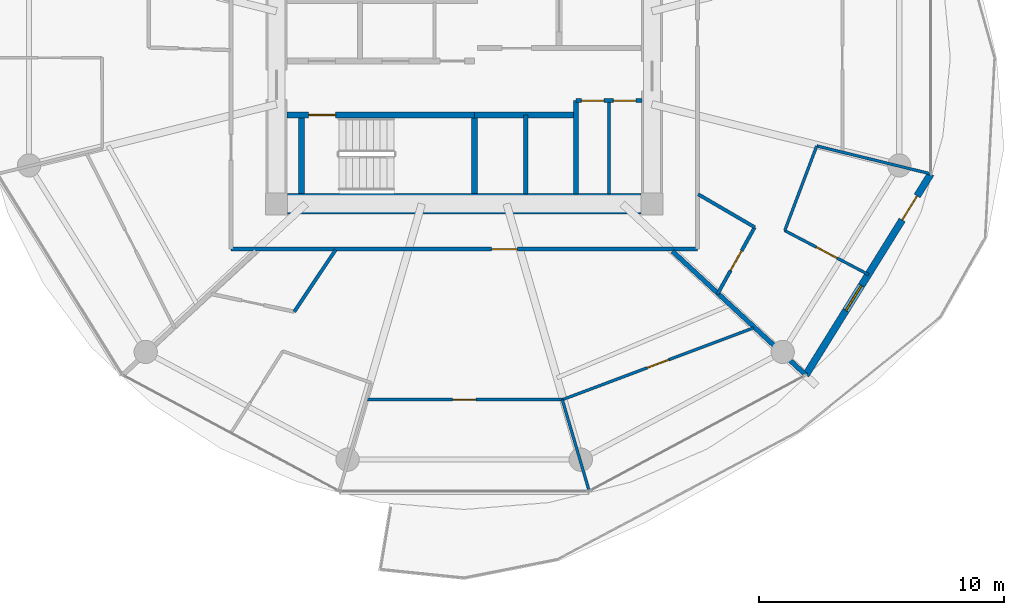
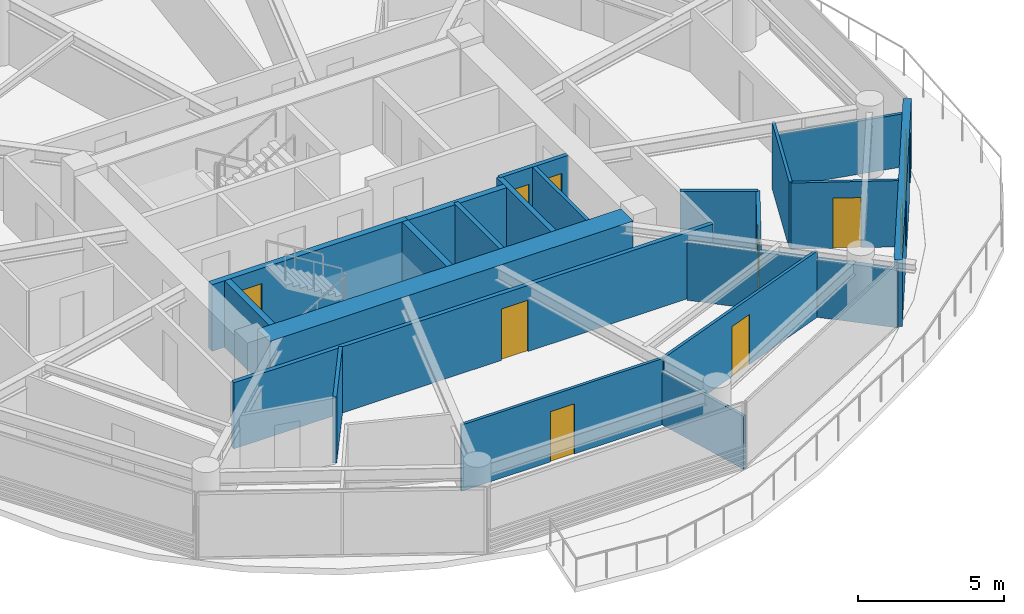
# One storey, part 19 of 27: 21 walls, 9 doors, 1 window, 10 openings.
"""IFC4 building model written with IfcOpenShell, lengths in metres."""

import ifcopenshell
import ifcopenshell.guid

model = None  # the IFC model being written
_history = None  # IfcOwnerHistory: only IFC2X3 demands one
_inside = {}  # id of a spatial element -> (the spatial element, [elements in it])
_under = {}  # id of a project, library or spatial element -> (it, [spatial elements below it])
_declared = {}  # id of a project -> (the project, [libraries it declares])
_typed = {}  # id of a type object -> (the type object, [elements of that type])
_made_of = {}  # id of a material, layer set ... -> (it, [elements and type objects made of it])


def new_model(schema):
    """Start an empty IFC model of exactly this schema.

    Asked for "IFC4X3", IfcOpenShell would pick the latest addendum, in which some entities
    have other attributes; the version numbers below select the first issue.
    IFC2X3 requires an IfcOwnerHistory on every rooted entity: one is made here for all.
    """
    global model, _history
    if schema == "IFC4X3":
        model = ifcopenshell.file(schema_version=(4, 3, 0, 0))
    else:
        model = ifcopenshell.file(schema=schema)
    _inside.clear()
    _under.clear()
    _declared.clear()
    _typed.clear()
    _made_of.clear()
    _history = None
    if model.schema == "IFC2X3":
        org = make("IfcOrganization", Name="unknown")
        user = make(
            "IfcPersonAndOrganization",
            ThePerson=make("IfcPerson", FamilyName="unknown"),
            TheOrganization=org,
        )
        app = make(
            "IfcApplication",
            ApplicationDeveloper=org,
            Version="unknown",
            ApplicationFullName="unknown",
            ApplicationIdentifier="unknown",
        )
        _history = make(
            "IfcOwnerHistory",
            OwningUser=user,
            OwningApplication=app,
            ChangeAction="ADDED",
            CreationDate=0,
        )
    return model


def make(cls, **values):
    """One entity of the class cls with the attributes given. An attribute that is None is left unset."""
    return model.create_entity(
        cls, **{name: value for name, value in values.items() if value is not None}
    )


def rooted(cls, **values):
    """An entity with a GlobalId (a new one), such as an element, a storey or a relation."""
    return make(cls, GlobalId=ifcopenshell.guid.new(), OwnerHistory=_history, **values)


def si_unit(unit_type, name, prefix=None):
    """IfcSIUnit, for example si_unit("LENGTHUNIT", "METRE", prefix="MILLI")."""
    return make("IfcSIUnit", UnitType=unit_type, Prefix=prefix, Name=name)


def assignment(units):
    """IfcUnitAssignment: the units of a project."""
    return None if units is None else make("IfcUnitAssignment", Units=units)


def point(xyz):
    """IfcCartesianPoint."""
    return None if xyz is None else make("IfcCartesianPoint", Coordinates=xyz)


def direction(xyz):
    """IfcDirection."""
    return None if xyz is None else make("IfcDirection", DirectionRatios=xyz)


def frame(location, z_axis=None, x_axis=None):
    """IfcAxis2Placement3D, a coordinate frame: its origin and axes. An axis left out is left unset."""
    return make(
        "IfcAxis2Placement3D",
        Location=point(location),
        Axis=direction(z_axis),
        RefDirection=direction(x_axis),
    )


def frame_2d(location, x_axis=None):
    """IfcAxis2Placement2D, a coordinate frame in the plane: its origin and x axis."""
    return make(
        "IfcAxis2Placement2D", Location=point(location), RefDirection=direction(x_axis)
    )


def origin():
    """The frame at (0, 0, 0) with its axes left unset."""
    return frame((0.0, 0.0, 0.0))


def place(relative_to, where):
    """IfcLocalPlacement: puts the frame where relative to a parent placement (None: the world)."""
    return make(
        "IfcLocalPlacement", PlacementRelTo=relative_to, RelativePlacement=where
    )


def context(
    kind, dimensions, precision=None, world=None, true_north=None, identifier=None
):
    """IfcGeometricRepresentationContext, for example the 3D "Model" context."""
    return make(
        "IfcGeometricRepresentationContext",
        ContextIdentifier=identifier,
        ContextType=kind,
        CoordinateSpaceDimension=dimensions,
        Precision=precision,
        WorldCoordinateSystem=world,
        TrueNorth=true_north,
    )


def subcontext(parent, identifier, kind, view, scale=None):
    """IfcGeometricRepresentationSubContext, for example "Body" below "Model"."""
    return make(
        "IfcGeometricRepresentationSubContext",
        ContextIdentifier=identifier,
        ContextType=kind,
        ParentContext=parent,
        TargetScale=scale,
        TargetView=view,
    )


def project(units=None, contexts=None):
    """IfcProject with its units and contexts."""
    return rooted(
        "IfcProject",
        Name="project",
        RepresentationContexts=contexts,
        UnitsInContext=assignment(units),
    )


def spatial(cls, under=None, at=None, **own):
    """A site, building, storey or space (cls), placed at a placement, below another one or the project."""
    s = rooted(cls, ObjectPlacement=at, **own)
    if under is not None:
        _under.setdefault(under.id(), (under, []))[1].append(s)
    return s


def profile(cls, at=None, kind="AREA", **sizes):
    """A parametric profile (cls). Its sizes go by their IFC names, for example OverallWidth=200.0."""
    return make(cls, ProfileType=kind, Position=at, **sizes)


def rectangle(**sizes):
    """IfcRectangleProfileDef."""
    return profile("IfcRectangleProfileDef", **sizes)


def extrude(swept, where, along, depth):
    """IfcExtrudedAreaSolid: the profile swept, set in the frame where, extruded along a direction by depth."""
    return make(
        "IfcExtrudedAreaSolid",
        SweptArea=swept,
        Position=where,
        ExtrudedDirection=direction(along),
        Depth=depth,
    )


def shape(context_of_items, identifier, shape_type, items):
    """IfcShapeRepresentation: the items that make up one representation, for example the "Body"."""
    return make(
        "IfcShapeRepresentation",
        ContextOfItems=context_of_items,
        RepresentationIdentifier=identifier,
        RepresentationType=shape_type,
        Items=items,
    )


def source(mapping_origin, context_of_items, identifier, shape_type, items):
    """IfcRepresentationMap: a shape defined once, which mapped items show again and again."""
    return make(
        "IfcRepresentationMap",
        MappingOrigin=mapping_origin,
        MappedRepresentation=shape(context_of_items, identifier, shape_type, items),
    )


def transform(
    local_origin,
    x_axis=None,
    y_axis=None,
    z_axis=None,
    scale=None,
    scale2=None,
    scale3=None,
    uniform=True,
):
    """IfcCartesianTransformationOperator3D, or its non-uniform kind. x_axis, y_axis, z_axis: its Axis1, 2, 3."""
    if uniform:
        return make(
            "IfcCartesianTransformationOperator3D",
            Axis1=direction(x_axis),
            Axis2=direction(y_axis),
            LocalOrigin=point(local_origin),
            Scale=scale,
            Axis3=direction(z_axis),
        )
    return make(
        "IfcCartesianTransformationOperator3DnonUniform",
        Axis1=direction(x_axis),
        Axis2=direction(y_axis),
        LocalOrigin=point(local_origin),
        Scale=scale,
        Axis3=direction(z_axis),
        Scale2=scale2,
        Scale3=scale3,
    )


def mapped(mapping_source, mapping_target):
    """IfcMappedItem: shows the shape of a source again, moved by a transform."""
    return make(
        "IfcMappedItem", MappingSource=mapping_source, MappingTarget=mapping_target
    )


def material(Name=None, Category=None):
    """IfcMaterial."""
    return make("IfcMaterial", Name=Name, Category=Category)


def layer(
    of_material, thickness, ventilated=None, Name=None, Category=None, Priority=None
):
    """IfcMaterialLayer: one layer of a wall or slab, of a material (None: an air gap)."""
    return make(
        "IfcMaterialLayer",
        Material=of_material,
        LayerThickness=thickness,
        IsVentilated=ventilated,
        Name=Name,
        Category=Category,
        Priority=Priority,
    )


def layer_set(layers, Name=None):
    """IfcMaterialLayerSet."""
    return make("IfcMaterialLayerSet", MaterialLayers=layers, LayerSetName=Name)


def made_of(thing, what):
    """Note that an element or type object is made of a material, layer set ...; save() writes the relation."""
    if what is not None:
        _made_of.setdefault(what.id(), (what, []))[1].append(thing)
    return thing


def type_object(cls, material=None, **own):
    """A type object (cls), such as IfcWallType, which elements share."""
    return made_of(rooted(cls, **own), material)


def type_shapes(of_type, sources):
    """Give a type object the sources (RepresentationMaps) that its elements show as mapped items."""
    of_type.RepresentationMaps = sources


def element(
    cls,
    number,
    at=None,
    inside=None,
    cuts=None,
    type_object=None,
    material=None,
    context=None,
    identifier="Body",
    shape_type=None,
    held_by="IfcProductDefinitionShape",
    body=None,
    shapes=None,
    **own,
):
    """One element of the class cls, such as IfcWall. Its Tag is "e" and its number.

    at: its placement. inside: the storey or other place that contains it. cuts: it is an
    opening in that element (IfcRelVoidsElement). A single representation is given by context,
    identifier, shape_type and body (its items); several are given by shapes. held_by: the class
    of the entity that holds the representations. save() writes the other relations.
    """
    e = rooted(cls, Tag="e%d" % number, ObjectPlacement=at, **own)
    if body is not None:
        shapes = [shape(context, identifier, shape_type, body)]
    if shapes is not None:
        e.Representation = make(held_by, Representations=shapes)
    if inside is not None:
        _inside.setdefault(inside.id(), (inside, []))[1].append(e)
    if cuts is not None:
        rooted(
            "IfcRelVoidsElement", RelatingBuildingElement=cuts, RelatedOpeningElement=e
        )
    if type_object is not None:
        _typed.setdefault(type_object.id(), (type_object, []))[1].append(e)
    return made_of(e, material)


def fill(opening, filler):
    """IfcRelFillsElement: the door or window that sits in an opening."""
    return rooted(
        "IfcRelFillsElement",
        RelatingOpeningElement=opening,
        RelatedBuildingElement=filler,
    )


def aggregate(whole, parts):
    """IfcRelAggregates: a whole, such as a stair, and the parts it consists of."""
    return rooted("IfcRelAggregates", RelatingObject=whole, RelatedObjects=parts)


def save(model, path):
    """Write the relations noted so far, then the file.

    IfcRelAggregates (storeys below a building ...), IfcRelContainedInSpatialStructure (elements
    in a storey), IfcRelDefinesByType, IfcRelAssociatesMaterial and IfcRelDeclares: one each for
    every whole, place, type object, material and project.
    """
    for whole, parts in _under.values():
        aggregate(whole, parts)
    for where, things in _inside.values():
        rooted(
            "IfcRelContainedInSpatialStructure",
            RelatedElements=things,
            RelatingStructure=where,
        )
    for kind, things in _typed.values():
        rooted("IfcRelDefinesByType", RelatedObjects=things, RelatingType=kind)
    for what, things in _made_of.values():
        rooted("IfcRelAssociatesMaterial", RelatedObjects=things, RelatingMaterial=what)
    for by, libraries in _declared.values():
        rooted("IfcRelDeclares", RelatingContext=by, RelatedDefinitions=libraries)
    model.write(path)


model = new_model("IFC4")

# Units and contexts
model_context = context("Model", 3, precision=1e-05, world=origin(), true_north=direction((0.0, 1.0)))
body_context = subcontext(model_context, "Body", "Model", "MODEL_VIEW")
ifc_project = project(units=[si_unit("LENGTHUNIT", "METRE"), si_unit("AREAUNIT", "SQUARE_METRE"), si_unit("VOLUMEUNIT", "CUBIC_METRE"), si_unit("PLANEANGLEUNIT", "RADIAN"), si_unit("MASSUNIT", "GRAM", prefix="KILO")], contexts=[model_context])

# Site, building, storey
site_placement = place(None, origin())
site = spatial("IfcSite", under=ifc_project, at=site_placement, CompositionType="ELEMENT")
building_placement = place(site_placement, origin())
building = spatial("IfcBuilding", under=site, at=building_placement, Name="Norrkilde Senior Care Towers", CompositionType="ELEMENT")
storey_placement = place(building_placement, frame((0.0, 0.0, 30.75)))
storey = spatial("IfcBuildingStorey", under=building, at=storey_placement, Name="L08", CompositionType="ELEMENT", Elevation=30.75)

# Wall
ifc_material_1 = material(Name="Concrete C60/75", Category="concrete")
ifc_layer_1 = layer(ifc_material_1, 0.85009765625)
ifc_layer_set_1 = layer_set([ifc_layer_1], Name="Concrete C60/75")
wall_type_1 = type_object("IfcWallType", Name="Core Shear Wall Z1 850", PredefinedType="SHEAR", material=ifc_layer_set_1)
shared_shape_1 = source(origin(), body_context, "Body", "SweptSolid", [
    extrude(rectangle(XDim=14.39990234375, YDim=0.85009765625, at=frame_2d((7.199951171875, 0.0))), origin(), (0.0, 0.0, 1.0), 2.7900390625),
])
type_shapes(wall_type_1, [shared_shape_1])
wall_1_placement = place(storey_placement, frame((35.199951171875, -5.949951171875, 0.0), z_axis=(0.0, 0.0, 1.0), x_axis=(-1.0, 0.0, 0.0)))
element("IfcWall", 1, at=wall_1_placement, inside=storey, type_object=wall_type_1, Name="L08 Core E South Shear Wall", PredefinedType="SHEAR", context=body_context, shape_type="MappedRepresentation", body=[
    mapped(shared_shape_1, transform((0.0, 0.0, 0.0), x_axis=(1.0, 0.0, 0.0), y_axis=(0.0, 1.0, 0.0), z_axis=(0.0, 0.0, 1.0), scale=1.0)),
])

# Wall, openings, door, window
ifc_material_2 = material(Name="Precast concrete C45/55", Category="concrete")
ifc_layer_2 = layer(ifc_material_2, 0.2900390625)
ifc_layer_set_2 = layer_set([ifc_layer_2], Name="Precast concrete C45/55")
wall_type_2 = type_object("IfcWallType", Name="Winter Garden Facade Wall 290", PredefinedType="SOLIDWALL", material=ifc_layer_set_2)
shared_shape_2 = source(origin(), body_context, "Body", "SweptSolid", [
    extrude(rectangle(XDim=9.64892578125, YDim=0.2900390625, at=frame_2d((4.824462890625, 0.0))), origin(), (0.0, 0.0, 1.0), 2.7900390625),
])
type_shapes(wall_type_2, [shared_shape_2])
wall_2_placement = place(storey_placement, frame((47.009521484375, -4.731201171875, 0.0), z_axis=(0.0, 0.0, 1.0), x_axis=(-0.527909458386, -0.849300655684, 0.0)))
wall_2 = element("IfcWall", 2, at=wall_2_placement, inside=storey, type_object=wall_type_2, Name="L08 Drum E Balcony Access Wall 10", PredefinedType="SOLIDWALL", context=body_context, shape_type="MappedRepresentation", body=[
    mapped(shared_shape_2, transform((0.0, 0.0, 0.0), x_axis=(1.0, 0.0, 0.0), y_axis=(0.0, 1.0, 0.0), z_axis=(0.0, 0.0, 1.0), scale=1.0)),
])
opening_1_placement = place(wall_2_placement, frame((1.06005859375, 0.0, 0.0)))
opening_1 = element("IfcOpeningElement", 3, at=opening_1_placement, cuts=wall_2, Name="Opening D-09", PredefinedType="OPENING", context=body_context, shape_type="SweptSolid", body=[
    extrude(rectangle(XDim=1.14990234375, YDim=2.25, at=frame_2d((0.574951171875, 1.125))), frame((0.0, 0.155029296875, 0.0), z_axis=(0.0, -1.0, 0.0), x_axis=(1.0, 0.0, 0.0)), (0.0, 0.0, 1.0), 0.31005859375),
])
opening_2_placement = place(wall_2_placement, frame((5.3544921875, 0.0, 0.85009765625)))
opening_2 = element("IfcOpeningElement", 4, at=opening_2_placement, cuts=wall_2, Name="Opening WN-07", PredefinedType="OPENING", context=body_context, shape_type="SweptSolid", body=[
    extrude(rectangle(XDim=1.199951171875, YDim=1.5, at=frame_2d((0.60009765625, 0.75))), frame((0.0, 0.155029296875, 0.0), z_axis=(0.0, -1.0, 0.0), x_axis=(1.0, 0.0, 0.0)), (0.0, 0.0, 1.0), 0.31005859375),
])
ifc_material_3 = material(Name="Anodised Aluminium", Category="aluminium")
door_type_1 = type_object("IfcDoorType", Name="Terrace and Balcony Glazed Door 1150x2250", OperationType="NOTDEFINED", PredefinedType="DOOR", material=ifc_material_3)
shared_shape_3 = source(origin(), body_context, "Body", "SweptSolid", [
    extrude(rectangle(XDim=1.14990234375, YDim=2.25, at=frame_2d((0.574951171875, 1.125))), frame((0.0, 0.02490234375, 0.0), z_axis=(0.0, -1.0, 0.0), x_axis=(1.0, 0.0, 0.0)), (0.0, 0.0, 1.0), 0.050048828125),
])
type_shapes(door_type_1, [shared_shape_3])
door_1_placement = place(opening_1_placement, origin())
door_1 = element("IfcDoor", 5, at=door_1_placement, inside=storey, type_object=door_type_1, Name="L08 Drum E Outdoor Terrace Door 10", OperationType="SINGLE_SWING_LEFT", OverallHeight=2.25, OverallWidth=1.14990234375, PredefinedType="DOOR", context=body_context, shape_type="MappedRepresentation", body=[
    mapped(shared_shape_3, transform((0.0, 0.0, 0.0), x_axis=(1.0, 0.0, 0.0), y_axis=(0.0, 1.0, 0.0), z_axis=(0.0, 0.0, 1.0), scale=1.0)),
])
fill(opening_1, door_1)
ifc_material_4 = material(Name="Triple Low-E Insulated Glazing", Category="glass")
window_type = type_object("IfcWindowType", Name="Stairwell Smoke Vent Window 1200x1500", PartitioningType="SINGLE_PANEL", PredefinedType="WINDOW", material=ifc_material_4)
shared_shape_4 = source(origin(), body_context, "Body", "SweptSolid", [
    extrude(rectangle(XDim=1.199951171875, YDim=1.5, at=frame_2d((0.60009765625, 0.75))), frame((0.0, 0.030029296875, 0.0), z_axis=(0.0, -1.0, 0.0), x_axis=(1.0, 0.0, 0.0)), (0.0, 0.0, 1.0), 0.06005859375),
])
type_shapes(window_type, [shared_shape_4])
window_placement = place(opening_2_placement, origin())
window = element("IfcWindow", 6, at=window_placement, inside=storey, type_object=window_type, Name="L08 Drum E Winter Garden Window 10", OverallHeight=1.5, OverallWidth=1.199951171875, PartitioningType="SINGLE_PANEL", PredefinedType="WINDOW", context=body_context, shape_type="MappedRepresentation", body=[
    mapped(shared_shape_4, transform((0.0, 0.0, 0.0), x_axis=(1.0, 0.0, 0.0), y_axis=(0.0, 1.0, 0.0), z_axis=(0.0, 0.0, 1.0), scale=1.0)),
])
fill(opening_2, window)

# Walls
ifc_material_5 = material(Name="Concrete C45/55", Category="concrete")
ifc_layer_3 = layer(ifc_material_5, 0.199951171875)
ifc_layer_set_3 = layer_set([ifc_layer_3], Name="Concrete C45/55")
wall_type_3 = type_object("IfcWallType", Name="Shaft Division and Plant Partition 200", PredefinedType="PARTITIONING", material=ifc_layer_set_3)
shared_shape_5 = source(origin(), body_context, "Body", "SweptSolid", [
    extrude(rectangle(XDim=3.800048828125, YDim=0.199951171875, at=frame_2d((1.89990234375, 0.0))), origin(), (0.0, 0.0, 1.0), 2.77490234375),
])
type_shapes(wall_type_3, [shared_shape_5])
wall_3_placement = place(storey_placement, frame((32.550048828125, -5.550048828125, 0.0), z_axis=(0.0, 0.0, 1.0), x_axis=(0.0, 1.0, 0.0)))
element("IfcWall", 7, at=wall_3_placement, inside=storey, type_object=wall_type_3, Name="WL-INT-L08-E-PKBE", PredefinedType="PARTITIONING", context=body_context, shape_type="MappedRepresentation", body=[
    mapped(shared_shape_5, transform((0.0, 0.0, 0.0), x_axis=(1.0, 0.0, 0.0), y_axis=(0.0, 1.0, 0.0), z_axis=(0.0, 0.0, 1.0), scale=1.0)),
])
ifc_layer_4 = layer(ifc_material_5, 0.239990234375)
ifc_layer_set_4 = layer_set([ifc_layer_4], Name="Concrete C45/55")
wall_type_4 = type_object("IfcWallType", Name="Lift and Plant Rated Enclosure Partition 240", PredefinedType="PARTITIONING", material=ifc_layer_set_4)
shared_shape_6 = source(origin(), body_context, "Body", "SweptSolid", [
    extrude(rectangle(XDim=4.130126953125, YDim=0.239990234375, at=frame_2d((2.06494140625, 0.0))), origin(), (0.0, 0.0, 1.0), 2.77490234375),
])
type_shapes(wall_type_4, [shared_shape_6])
wall_4_placement = place(storey_placement, frame((28.419921875, -2.330078125, 0.0), z_axis=(0.0, 0.0, 1.0), x_axis=(1.0, 0.0, 0.0)))
element("IfcWall", 8, at=wall_4_placement, inside=storey, type_object=wall_type_4, Name="WL-INT-L08-E-PKBN", PredefinedType="PARTITIONING", context=body_context, shape_type="MappedRepresentation", body=[
    mapped(shared_shape_6, transform((0.0, 0.0, 0.0), x_axis=(1.0, 0.0, 0.0), y_axis=(0.0, 1.0, 0.0), z_axis=(0.0, 0.0, 1.0), scale=1.0)),
])
ifc_layer_5 = layer(ifc_material_5, 0.179931640625)
ifc_layer_set_5 = layer_set([ifc_layer_5], Name="Concrete C45/55")
wall_type_5 = type_object("IfcWallType", Name="Hoistway Division Rated Partition 180", PredefinedType="PARTITIONING", material=ifc_layer_set_5)
shared_shape_7 = source(origin(), body_context, "Body", "SweptSolid", [
    extrude(rectangle(XDim=3.219970703125, YDim=0.179931640625, at=frame_2d((1.60986328125, 0.0))), origin(), (0.0, 0.0, 1.0), 2.77490234375),
])
type_shapes(wall_type_5, [shared_shape_7])
wall_5_placement = place(storey_placement, frame((30.5, -5.550048828125, 0.0), z_axis=(0.0, 0.0, 1.0), x_axis=(0.0, 1.0, 0.0)))
element("IfcWall", 9, at=wall_5_placement, inside=storey, type_object=wall_type_5, Name="WL-INT-L08-E-PL34", PredefinedType="PARTITIONING", context=body_context, shape_type="MappedRepresentation", body=[
    mapped(shared_shape_7, transform((0.0, 0.0, 0.0), x_axis=(1.0, 0.0, 0.0), y_axis=(0.0, 1.0, 0.0), z_axis=(0.0, 0.0, 1.0), scale=1.0)),
])

# Wall, openings, doors
ifc_material_6 = material(Name="Gypsum Acoustic Board")
ifc_layer_6 = layer(ifc_material_6, 0.1650390625)
ifc_layer_set_6 = layer_set([ifc_layer_6], Name="Gypsum Acoustic Board")
wall_type_6 = type_object("IfcWallType", Name="Corridor Rated Partition 165", PredefinedType="PARTITIONING", material=ifc_layer_set_6)
shared_shape_8 = source(origin(), body_context, "Body", "SweptSolid", [
    extrude(rectangle(XDim=2.699951171875, YDim=0.1650390625, at=frame_2d((1.35009765625, 0.0))), origin(), (0.0, 0.0, 1.0), 2.77490234375),
])
wall_6_placement = place(storey_placement, frame((32.550048828125, -1.75, 0.0), z_axis=(0.0, 0.0, 1.0), x_axis=(1.0, 0.0, 0.0)))
wall_6 = element("IfcWall", 10, at=wall_6_placement, inside=storey, type_object=wall_type_6, Name="WL-INT-L08-E-CSN", PredefinedType="PARTITIONING", context=body_context, shape_type="MappedRepresentation", body=[
    mapped(shared_shape_8, transform((0.0, 0.0, 0.0), x_axis=(1.0, 0.0, 0.0), y_axis=(0.0, 1.0, 0.0), z_axis=(0.0, 0.0, 1.0), scale=1.0)),
])
opening_3_placement = place(wall_6_placement, frame((0.222412109375, 0.0, 0.0)))
opening_3 = element("IfcOpeningElement", 11, at=opening_3_placement, cuts=wall_6, Name="Opening D-12", PredefinedType="OPENING", context=body_context, shape_type="SweptSolid", body=[
    extrude(rectangle(XDim=0.925048828125, YDim=2.10009765625, at=frame_2d((0.46240234375, 1.050048828125))), frame((0.0, 0.092529296875, 0.0), z_axis=(0.0, -1.0, 0.0), x_axis=(1.0, 0.0, 0.0)), (0.0, 0.0, 1.0), 0.18505859375),
])
opening_4_placement = place(wall_6_placement, frame((1.5224609375, 0.0, 0.0)))
opening_4 = element("IfcOpeningElement", 12, at=opening_4_placement, cuts=wall_6, Name="Opening D-12", PredefinedType="OPENING", context=body_context, shape_type="SweptSolid", body=[
    extrude(rectangle(XDim=0.925048828125, YDim=2.10009765625, at=frame_2d((0.46240234375, 1.050048828125))), frame((0.0, 0.092529296875, 0.0), z_axis=(0.0, -1.0, 0.0), x_axis=(1.0, 0.0, 0.0)), (0.0, 0.0, 1.0), 0.18505859375),
])
ifc_material_7 = material(Name="Galvanised Painted Steel", Category="steel")
door_type_2 = type_object("IfcDoorType", Name="Core Wet Room Rated Door 925x2100", OperationType="NOTDEFINED", PredefinedType="DOOR", material=ifc_material_7)
shared_shape_9 = source(origin(), body_context, "Body", "SweptSolid", [
    extrude(rectangle(XDim=0.925048828125, YDim=2.10009765625, at=frame_2d((0.46240234375, 1.050048828125))), frame((0.0, 0.02490234375, 0.0), z_axis=(0.0, -1.0, 0.0), x_axis=(1.0, 0.0, 0.0)), (0.0, 0.0, 1.0), 0.050048828125),
])
type_shapes(door_type_2, [shared_shape_9])
door_2_placement = place(opening_3_placement, origin())
door_2 = element("IfcDoor", 13, at=door_2_placement, inside=storey, type_object=door_type_2, Name="L08 Staff Accessible WC E Door", OperationType="SINGLE_SWING_LEFT", OverallHeight=2.10009765625, OverallWidth=0.925048828125, PredefinedType="DOOR", context=body_context, shape_type="MappedRepresentation", body=[
    mapped(shared_shape_9, transform((0.0, 0.0, 0.0), x_axis=(1.0, 0.0, 0.0), y_axis=(0.0, 1.0, 0.0), z_axis=(0.0, 0.0, 1.0), scale=1.0)),
])
fill(opening_3, door_2)
door_3_placement = place(opening_4_placement, origin())
door_3 = element("IfcDoor", 14, at=door_3_placement, inside=storey, type_object=door_type_2, Name="L08 Housekeeping Store E Door", OperationType="SINGLE_SWING_RIGHT", OverallHeight=2.10009765625, OverallWidth=0.925048828125, PredefinedType="DOOR", context=body_context, shape_type="MappedRepresentation", body=[
    mapped(shared_shape_9, transform((0.0, 0.0, 0.0), x_axis=(1.0, 0.0, 0.0), y_axis=(0.0, 1.0, 0.0), z_axis=(0.0, 0.0, 1.0), scale=1.0)),
])
fill(opening_4, door_3)

# Wall, opening, door
shared_shape_10 = source(origin(), body_context, "Body", "SweptSolid", [
    extrude(rectangle(XDim=19.0, YDim=0.1650390625, at=frame_2d((9.5, 0.0))), origin(), (0.0, 0.0, 1.0), 2.77490234375),
])
type_shapes(wall_type_6, [shared_shape_8, shared_shape_10])
wall_7_placement = place(storey_placement, frame((37.5, -7.800048828125, 0.0), z_axis=(0.0, 0.0, 1.0), x_axis=(-1.0, 0.0, 0.0)))
wall_7 = element("IfcWall", 15, at=wall_7_placement, inside=storey, type_object=wall_type_6, Name="WL-INT-L08-E-CRW-S-0", PredefinedType="PARTITIONING", context=body_context, shape_type="MappedRepresentation", body=[
    mapped(shared_shape_10, transform((0.0, 0.0, 0.0), x_axis=(1.0, 0.0, 0.0), y_axis=(0.0, 1.0, 0.0), z_axis=(0.0, 0.0, 1.0), scale=1.0)),
])
opening_5_placement = place(wall_7_placement, frame((7.33642578125, 0.0, 0.0)))
opening_5 = element("IfcOpeningElement", 16, at=opening_5_placement, cuts=wall_7, Name="Opening D-06", PredefinedType="OPENING", context=body_context, shape_type="SweptSolid", body=[
    extrude(rectangle(XDim=1.050048828125, YDim=2.14990234375, at=frame_2d((0.52490234375, 1.074951171875))), frame((0.0, 0.092529296875, 0.0), z_axis=(0.0, -1.0, 0.0), x_axis=(1.0, 0.0, 0.0)), (0.0, 0.0, 1.0), 0.18505859375),
])
ifc_material_8 = material(Name="Nordic Ash Timber", Category="wood")
door_type_3 = type_object("IfcDoorType", Name="Apartment Entrance Fire Door 1050x2150", OperationType="NOTDEFINED", PredefinedType="DOOR", material=ifc_material_8)
shared_shape_11 = source(origin(), body_context, "Body", "SweptSolid", [
    extrude(rectangle(XDim=1.050048828125, YDim=2.14990234375, at=frame_2d((0.52490234375, 1.074951171875))), frame((0.0, 0.02490234375, 0.0), z_axis=(0.0, -1.0, 0.0), x_axis=(1.0, 0.0, 0.0)), (0.0, 0.0, 1.0), 0.050048828125),
])
type_shapes(door_type_3, [shared_shape_11])
door_4_placement = place(opening_5_placement, frame((1.050048828125, 0.0, 0.0), z_axis=(0.0, 0.0, 1.0), x_axis=(-1.0, 0.0, 0.0)))
door_4 = element("IfcDoor", 17, at=door_4_placement, inside=storey, type_object=door_type_3, Name="Apartment 08E Entrance Door", OperationType="SINGLE_SWING_RIGHT", OverallHeight=2.14990234375, OverallWidth=1.050048828125, PredefinedType="DOOR", context=body_context, shape_type="MappedRepresentation", body=[
    mapped(shared_shape_11, transform((0.0, 0.0, 0.0), x_axis=(1.0, 0.0, 0.0), y_axis=(0.0, 1.0, 0.0), z_axis=(0.0, 0.0, 1.0), scale=1.0)),
])
fill(opening_5, door_4)

ifc_layer_7 = layer(ifc_material_6, 0.114990234375)
ifc_layer_set_7 = layer_set([ifc_layer_7], Name="Gypsum Acoustic Board")
wall_type_7 = type_object("IfcWallType", Name="Internal Room Partition 115", PredefinedType="PARTITIONING", material=ifc_layer_set_7)
shared_shape_12 = source(origin(), body_context, "Body", "SweptSolid", [
    extrude(rectangle(XDim=7.99267578125, YDim=0.114990234375, at=frame_2d((3.996337890625, 0.0))), origin(), (0.0, 0.0, 1.0), 2.77490234375),
])
wall_8_placement = place(storey_placement, frame((24.003662109375, -13.927001953125, 0.0), z_axis=(0.0, 0.0, 1.0), x_axis=(1.0, 0.0, 0.0)))
wall_8 = element("IfcWall", 18, at=wall_8_placement, inside=storey, type_object=wall_type_7, Name="WL-INT-L08-E-UBC-07-1", PredefinedType="PARTITIONING", context=body_context, shape_type="MappedRepresentation", body=[
    mapped(shared_shape_12, transform((0.0, 0.0, 0.0), x_axis=(1.0, 0.0, 0.0), y_axis=(0.0, 1.0, 0.0), z_axis=(0.0, 0.0, 1.0), scale=1.0)),
])
opening_6_placement = place(wall_8_placement, frame((3.521484375, 0.0, 0.0)))
opening_6 = element("IfcOpeningElement", 19, at=opening_6_placement, cuts=wall_8, Name="Opening D-07", PredefinedType="OPENING", context=body_context, shape_type="SweptSolid", body=[
    extrude(rectangle(XDim=0.949951171875, YDim=2.10009765625, at=frame_2d((0.47509765625, 1.050048828125))), frame((0.0, 0.0673828125, 0.0), z_axis=(0.0, -1.0, 0.0), x_axis=(1.0, 0.0, 0.0)), (0.0, 0.0, 1.0), 0.135009765625),
])
door_type_4 = type_object("IfcDoorType", Name="Internal Suite Bedroom Door 950x2100", OperationType="NOTDEFINED", PredefinedType="DOOR", material=ifc_material_8)
shared_shape_13 = source(origin(), body_context, "Body", "SweptSolid", [
    extrude(rectangle(XDim=0.949951171875, YDim=2.10009765625, at=frame_2d((0.47509765625, 1.050048828125))), frame((0.0, 0.02490234375, 0.0), z_axis=(0.0, -1.0, 0.0), x_axis=(1.0, 0.0, 0.0)), (0.0, 0.0, 1.0), 0.050048828125),
])
type_shapes(door_type_4, [shared_shape_13])
door_5_placement = place(opening_6_placement, origin())
door_5 = element("IfcDoor", 20, at=door_5_placement, inside=storey, type_object=door_type_4, Name="Apartment 08E Bedroom 1 Door", OperationType="SINGLE_SWING_LEFT", OverallHeight=2.10009765625, OverallWidth=0.949951171875, PredefinedType="DOOR", context=body_context, shape_type="MappedRepresentation", body=[
    mapped(shared_shape_13, transform((0.0, 0.0, 0.0), x_axis=(1.0, 0.0, 0.0), y_axis=(0.0, 1.0, 0.0), z_axis=(0.0, 0.0, 1.0), scale=1.0)),
])
fill(opening_6, door_5)

# Wall
ifc_layer_8 = layer(ifc_material_6, 0.139892578125)
ifc_layer_set_8 = layer_set([ifc_layer_8], Name="Gypsum Acoustic Board")
wall_type_8 = type_object("IfcWallType", Name="En-suite Wet Room Wall 140", PredefinedType="PARTITIONING", material=ifc_layer_set_8)
shared_shape_14 = source(origin(), body_context, "Body", "SweptSolid", [
    extrude(rectangle(XDim=3.025146484375, YDim=0.139892578125, at=frame_2d((1.5126953125, 0.0))), origin(), (0.0, 0.0, 1.0), 2.77490234375),
])
wall_9_placement = place(storey_placement, frame((22.76025390625, -7.830078125, 0.0), z_axis=(0.0, 0.0, 1.0), x_axis=(-0.556189165904, -0.831055721195, 0.0)))
element("IfcWall", 21, at=wall_9_placement, inside=storey, type_object=wall_type_8, Name="WL-INT-L08-E-UBTS-07", PredefinedType="PARTITIONING", context=body_context, shape_type="MappedRepresentation", body=[
    mapped(shared_shape_14, transform((0.0, 0.0, 0.0), x_axis=(1.0, 0.0, 0.0), y_axis=(0.0, 1.0, 0.0), z_axis=(0.0, 0.0, 1.0), scale=1.0)),
])

# Wall, opening, door
shared_shape_15 = source(origin(), body_context, "Body", "SweptSolid", [
    extrude(rectangle(XDim=8.31982421875, YDim=0.114990234375, at=frame_2d((4.159912109375, 0.0))), origin(), (0.0, 0.0, 1.0), 2.77490234375),
])
wall_10_placement = place(storey_placement, frame((31.997314453125, -13.93017578125, 0.0), z_axis=(0.0, 0.0, 1.0), x_axis=(0.936180763098, 0.351518959382, 0.0)))
wall_10 = element("IfcWall", 22, at=wall_10_placement, inside=storey, type_object=wall_type_7, Name="WL-INT-L08-E-UBC-07-2", PredefinedType="PARTITIONING", context=body_context, shape_type="MappedRepresentation", body=[
    mapped(shared_shape_15, transform((0.0, 0.0, 0.0), x_axis=(1.0, 0.0, 0.0), y_axis=(0.0, 1.0, 0.0), z_axis=(0.0, 0.0, 1.0), scale=1.0)),
])
opening_7_placement = place(wall_10_placement, frame((3.684814453125, 0.0, 0.0)))
opening_7 = element("IfcOpeningElement", 23, at=opening_7_placement, cuts=wall_10, Name="Opening D-07", PredefinedType="OPENING", context=body_context, shape_type="SweptSolid", body=[
    extrude(rectangle(XDim=0.949951171875, YDim=2.10009765625, at=frame_2d((0.47509765625, 1.050048828125))), frame((0.0, 0.0673828125, 0.0), z_axis=(0.0, -1.0, 0.0), x_axis=(1.0, 0.0, 0.0)), (0.0, 0.0, 1.0), 0.135009765625),
])
door_6_placement = place(opening_7_placement, frame((0.949951171875, 0.0, 0.0), z_axis=(0.0, 0.0, 1.0), x_axis=(-1.0, 0.0, 0.0)))
door_6 = element("IfcDoor", 24, at=door_6_placement, inside=storey, type_object=door_type_4, Name="Apartment 08E Bedroom 2 Door", OperationType="SINGLE_SWING_RIGHT", OverallHeight=2.10009765625, OverallWidth=0.949951171875, PredefinedType="DOOR", context=body_context, shape_type="MappedRepresentation", body=[
    mapped(shared_shape_13, transform((0.0, 0.0, 0.0), x_axis=(1.0, 0.0, 0.0), y_axis=(0.0, 1.0, 0.0), z_axis=(0.0, 0.0, 1.0), scale=1.0)),
])
fill(opening_7, door_6)

ifc_layer_9 = layer(ifc_material_5, 0.239990234375)
ifc_layer_set_9 = layer_set([ifc_layer_9], Name="Concrete C45/55")
wall_type_9 = type_object("IfcWallType", Name="Shaft and Stair Enclosure Wall 240", PredefinedType="PARTITIONING", material=ifc_layer_set_9)
shared_shape_16 = source(origin(), body_context, "Body", "SweptSolid", [
    extrude(rectangle(XDim=7.76513671875, YDim=0.239990234375, at=frame_2d((3.882568359375, 0.0))), origin(), (0.0, 0.0, 1.0), 2.7900390625),
])
wall_11_placement = place(storey_placement, frame((20.77490234375, -2.330078125, 0.0), z_axis=(0.0, 0.0, 1.0), x_axis=(1.0, 0.0, 0.0)))
wall_11 = element("IfcWall", 25, at=wall_11_placement, inside=storey, type_object=wall_type_9, Name="WL-INT-L08-E-ST2N", PredefinedType="PARTITIONING", context=body_context, shape_type="MappedRepresentation", body=[
    mapped(shared_shape_16, transform((0.0, 0.0, 0.0), x_axis=(1.0, 0.0, 0.0), y_axis=(0.0, 1.0, 0.0), z_axis=(0.0, 0.0, 1.0), scale=1.0)),
])
opening_8_placement = place(wall_11_placement, frame((0.885009765625, 0.0, 0.0)))
opening_8 = element("IfcOpeningElement", 26, at=opening_8_placement, cuts=wall_11, Name="Opening D-03", PredefinedType="OPENING", context=body_context, shape_type="SweptSolid", body=[
    extrude(rectangle(XDim=1.10009765625, YDim=2.14990234375, at=frame_2d((0.550048828125, 1.074951171875))), frame((0.0, 0.1298828125, 0.0), z_axis=(0.0, -1.0, 0.0), x_axis=(1.0, 0.0, 0.0)), (0.0, 0.0, 1.0), 0.260009765625),
])
door_type_5 = type_object("IfcDoorType", Name="Stairwell Protected Fire Door 1100x2150", OperationType="NOTDEFINED", PredefinedType="DOOR", material=ifc_material_7)
shared_shape_17 = source(origin(), body_context, "Body", "SweptSolid", [
    extrude(rectangle(XDim=1.10009765625, YDim=2.14990234375, at=frame_2d((0.550048828125, 1.074951171875))), frame((0.0, 0.02490234375, 0.0), z_axis=(0.0, -1.0, 0.0), x_axis=(1.0, 0.0, 0.0)), (0.0, 0.0, 1.0), 0.050048828125),
])
type_shapes(door_type_5, [shared_shape_17])
door_7_placement = place(opening_8_placement, frame((1.10009765625, 0.0, 0.0), z_axis=(0.0, 0.0, 1.0), x_axis=(-1.0, 0.0, 0.0)))
door_7 = element("IfcDoor", 27, at=door_7_placement, inside=storey, type_object=door_type_5, Name="L08 Stair E2 Fire Door", OperationType="SINGLE_SWING_RIGHT", OverallHeight=2.14990234375, OverallWidth=1.10009765625, PredefinedType="DOOR", context=body_context, shape_type="MappedRepresentation", body=[
    mapped(shared_shape_17, transform((0.0, 0.0, 0.0), x_axis=(1.0, 0.0, 0.0), y_axis=(0.0, 1.0, 0.0), z_axis=(0.0, 0.0, 1.0), scale=1.0)),
])
fill(opening_8, door_7)

# Walls
shared_shape_18 = source(origin(), body_context, "Body", "SweptSolid", [
    extrude(rectangle(XDim=3.074951171875, YDim=0.239990234375, at=frame_2d((1.53759765625, 0.0))), origin(), (0.0, 0.0, 1.0), 2.7900390625),
])
type_shapes(wall_type_9, [shared_shape_16, shared_shape_18])
for number, where, z_axis, x_axis, name in (
    (28, (21.3798828125, -5.52490234375, 0.0), (0.0, 0.0, 1.0), (0.0, 1.0, 0.0), "WL-INT-L08-E-ST2W"),
    (29, (28.419921875, -5.52490234375, 0.0), (0.0, 0.0, 1.0), (0.0, 1.0, 0.0), "WL-INT-L08-E-ST2E"),
):
    element("IfcWall", number, at=place(storey_placement, frame(where, z_axis=z_axis, x_axis=x_axis)), inside=storey, type_object=wall_type_9, Name=name, PredefinedType="PARTITIONING", context=body_context, shape_type="MappedRepresentation", body=[
        mapped(shared_shape_18, transform((0.0, 0.0, 0.0), x_axis=(1.0, 0.0, 0.0), y_axis=(0.0, 1.0, 0.0), z_axis=(0.0, 0.0, 1.0), scale=1.0)),
    ])
shared_shape_19 = source(origin(), body_context, "Body", "SweptSolid", [
    extrude(rectangle(XDim=3.800048828125, YDim=0.139892578125, at=frame_2d((1.89990234375, 0.0))), origin(), (0.0, 0.0, 1.0), 2.77490234375),
])
wall_12_placement = place(storey_placement, frame((33.89990234375, -5.550048828125, 0.0), z_axis=(0.0, 0.0, 1.0), x_axis=(0.0, 1.0, 0.0)))
element("IfcWall", 30, at=wall_12_placement, inside=storey, type_object=wall_type_8, Name="WL-INT-L08-E-CS1V", PredefinedType="PARTITIONING", context=body_context, shape_type="MappedRepresentation", body=[
    mapped(shared_shape_19, transform((0.0, 0.0, 0.0), x_axis=(1.0, 0.0, 0.0), y_axis=(0.0, 1.0, 0.0), z_axis=(0.0, 0.0, 1.0), scale=1.0)),
])
ifc_layer_10 = layer(ifc_material_6, 0.18994140625)
ifc_layer_set_10 = layer_set([ifc_layer_10], Name="Gypsum Acoustic Board")
wall_type_10 = type_object("IfcWallType", Name="Unit Demising Acoustic Wall 190", PredefinedType="PARTITIONING", material=ifc_layer_set_10)
shared_shape_20 = source(origin(), body_context, "Body", "SweptSolid", [
    extrude(rectangle(XDim=7.4345703125, YDim=0.18994140625, at=frame_2d((3.71728515625, 0.0))), origin(), (0.0, 0.0, 1.0), 2.4150390625),
])
type_shapes(wall_type_10, [shared_shape_20])
wall_13_placement = place(storey_placement, frame((36.48291015625, -7.8798828125, 0.0), z_axis=(0.0, 0.0, 1.0), x_axis=(0.732651956848, -0.680603489652, 0.0)))
element("IfcWall", 31, at=wall_13_placement, inside=storey, type_object=wall_type_10, Name="WL-INT-L08-E-DEM-10-0", PredefinedType="PARTITIONING", context=body_context, shape_type="MappedRepresentation", body=[
    mapped(shared_shape_20, transform((0.0, 0.0, 0.0), x_axis=(1.0, 0.0, 0.0), y_axis=(0.0, 1.0, 0.0), z_axis=(0.0, 0.0, 1.0), scale=1.0)),
])
shared_shape_21 = source(origin(), body_context, "Body", "SweptSolid", [
    extrude(rectangle(XDim=3.90478515625, YDim=0.114990234375, at=frame_2d((1.952392578125, 0.0))), origin(), (0.0, 0.0, 1.0), 2.22509765625),
])
wall_14_placement = place(storey_placement, frame((31.997314453125, -13.93017578125, 0.0), z_axis=(0.0, 0.0, 1.0), x_axis=(0.282037692958, -0.959403324859, 0.0)))
element("IfcWall", 32, at=wall_14_placement, inside=storey, type_object=wall_type_7, Name="WL-INT-L08-E-UBR-07-2", PredefinedType="PARTITIONING", context=body_context, shape_type="MappedRepresentation", body=[
    mapped(shared_shape_21, transform((0.0, 0.0, 0.0), x_axis=(1.0, 0.0, 0.0), y_axis=(0.0, 1.0, 0.0), z_axis=(0.0, 0.0, 1.0), scale=1.0)),
])
shared_shape_22 = source(origin(), body_context, "Body", "SweptSolid", [
    extrude(rectangle(XDim=4.802978515625, YDim=0.114990234375, at=frame_2d((2.4013671875, 0.0))), origin(), (0.0, 0.0, 1.0), 2.22509765625),
])
wall_15_placement = place(storey_placement, frame((42.36376953125, -3.59375, 0.0), z_axis=(0.0, 0.0, 1.0), x_axis=(0.97129155908, -0.237892217736, 0.0)))
element("IfcWall", 33, at=wall_15_placement, inside=storey, type_object=wall_type_7, Name="WL-INT-L08-E-UBR-10-1", PredefinedType="PARTITIONING", context=body_context, shape_type="MappedRepresentation", body=[
    mapped(shared_shape_22, transform((0.0, 0.0, 0.0), x_axis=(1.0, 0.0, 0.0), y_axis=(0.0, 1.0, 0.0), z_axis=(0.0, 0.0, 1.0), scale=1.0)),
])
shared_shape_23 = source(origin(), body_context, "Body", "SweptSolid", [
    extrude(rectangle(XDim=2.66943359375, YDim=0.139892578125, at=frame_2d((1.334716796875, 0.0))), origin(), (0.0, 0.0, 1.0), 2.77490234375),
])
wall_16_placement = place(storey_placement, frame((37.530029296875, -5.560546875, 0.0), z_axis=(0.0, 0.0, 1.0), x_axis=(0.86369928178, -0.50400749067, 0.0)))
element("IfcWall", 34, at=wall_16_placement, inside=storey, type_object=wall_type_8, Name="WL-INT-L08-E-UBTS-10", PredefinedType="PARTITIONING", context=body_context, shape_type="MappedRepresentation", body=[
    mapped(shared_shape_23, transform((0.0, 0.0, 0.0), x_axis=(1.0, 0.0, 0.0), y_axis=(0.0, 1.0, 0.0), z_axis=(0.0, 0.0, 1.0), scale=1.0)),
])

# Wall, opening, door
shared_shape_24 = source(origin(), body_context, "Body", "SweptSolid", [
    extrude(rectangle(XDim=3.121337890625, YDim=0.139892578125, at=frame_2d((1.560546875, 0.0))), origin(), (0.0, 0.0, 1.0), 2.77490234375),
])
type_shapes(wall_type_8, [shared_shape_14, shared_shape_19, shared_shape_23, shared_shape_24])
wall_17_placement = place(storey_placement, frame((39.835693359375, -6.906005859375, 0.0), z_axis=(0.0, 0.0, 1.0), x_axis=(-0.487302357327, -0.873233309342, 0.0)))
wall_17 = element("IfcWall", 35, at=wall_17_placement, inside=storey, type_object=wall_type_8, Name="WL-INT-L08-E-UBTF-10", PredefinedType="PARTITIONING", context=body_context, shape_type="MappedRepresentation", body=[
    mapped(shared_shape_24, transform((0.0, 0.0, 0.0), x_axis=(1.0, 0.0, 0.0), y_axis=(0.0, 1.0, 0.0), z_axis=(0.0, 0.0, 1.0), scale=1.0)),
])
opening_9_placement = place(wall_17_placement, frame((1.1005859375, 0.0, 0.0)))
opening_9 = element("IfcOpeningElement", 36, at=opening_9_placement, cuts=wall_17, Name="Opening D-08", PredefinedType="OPENING", context=body_context, shape_type="SweptSolid", body=[
    extrude(rectangle(XDim=0.919921875, YDim=2.10009765625, at=frame_2d((0.4599609375, 1.050048828125))), frame((0.0, 0.079833984375, 0.0), z_axis=(0.0, -1.0, 0.0), x_axis=(1.0, 0.0, 0.0)), (0.0, 0.0, 1.0), 0.159912109375),
])
door_type_6 = type_object("IfcDoorType", Name="Accessible Wet Room Door 920x2100", OperationType="NOTDEFINED", PredefinedType="DOOR", material=ifc_material_8)
shared_shape_25 = source(origin(), body_context, "Body", "SweptSolid", [
    extrude(rectangle(XDim=0.919921875, YDim=2.10009765625, at=frame_2d((0.4599609375, 1.050048828125))), frame((0.0, 0.02490234375, 0.0), z_axis=(0.0, -1.0, 0.0), x_axis=(1.0, 0.0, 0.0)), (0.0, 0.0, 1.0), 0.050048828125),
])
type_shapes(door_type_6, [shared_shape_25])
door_8_placement = place(opening_9_placement, origin())
door_8 = element("IfcDoor", 37, at=door_8_placement, inside=storey, type_object=door_type_6, Name="Apartment 08F Bathroom Door", OperationType="SINGLE_SWING_RIGHT", OverallHeight=2.10009765625, OverallWidth=0.919921875, PredefinedType="DOOR", context=body_context, shape_type="MappedRepresentation", body=[
    mapped(shared_shape_25, transform((0.0, 0.0, 0.0), x_axis=(1.0, 0.0, 0.0), y_axis=(0.0, 1.0, 0.0), z_axis=(0.0, 0.0, 1.0), scale=1.0)),
])
fill(opening_9, door_8)

shared_shape_26 = source(origin(), body_context, "Body", "SweptSolid", [
    extrude(rectangle(XDim=3.863525390625, YDim=0.114990234375, at=frame_2d((1.931640625, 0.0))), origin(), (0.0, 0.0, 1.0), 2.77490234375),
])
wall_18_placement = place(storey_placement, frame((41.0595703125, -7.040771484375, 0.0), z_axis=(0.0, 0.0, 1.0), x_axis=(0.885194959803, -0.465220252289, 0.0)))
wall_18 = element("IfcWall", 38, at=wall_18_placement, inside=storey, type_object=wall_type_7, Name="WL-INT-L08-E-UKTS-10", PredefinedType="PARTITIONING", context=body_context, shape_type="MappedRepresentation", body=[
    mapped(shared_shape_26, transform((0.0, 0.0, 0.0), x_axis=(1.0, 0.0, 0.0), y_axis=(0.0, 1.0, 0.0), z_axis=(0.0, 0.0, 1.0), scale=1.0)),
])
opening_10_placement = place(wall_18_placement, frame((1.456787109375, 0.0, 0.0)))
opening_10 = element("IfcOpeningElement", 39, at=opening_10_placement, cuts=wall_18, Name="Opening D-07", PredefinedType="OPENING", context=body_context, shape_type="SweptSolid", body=[
    extrude(rectangle(XDim=0.949951171875, YDim=2.10009765625, at=frame_2d((0.47509765625, 1.050048828125))), frame((0.0, 0.0673828125, 0.0), z_axis=(0.0, -1.0, 0.0), x_axis=(1.0, 0.0, 0.0)), (0.0, 0.0, 1.0), 0.135009765625),
])
door_9_placement = place(opening_10_placement, frame((0.949951171875, 0.0, 0.0), z_axis=(0.0, 0.0, 1.0), x_axis=(-1.0, 0.0, 0.0)))
door_9 = element("IfcDoor", 40, at=door_9_placement, inside=storey, type_object=door_type_4, Name="Apartment 08F Kitchen Door", OperationType="SINGLE_SWING_LEFT", OverallHeight=2.10009765625, OverallWidth=0.949951171875, PredefinedType="DOOR", context=body_context, shape_type="MappedRepresentation", body=[
    mapped(shared_shape_13, transform((0.0, 0.0, 0.0), x_axis=(1.0, 0.0, 0.0), y_axis=(0.0, 1.0, 0.0), z_axis=(0.0, 0.0, 1.0), scale=1.0)),
])
fill(opening_10, door_9)

# Wall
shared_shape_27 = source(origin(), body_context, "Body", "SweptSolid", [
    extrude(rectangle(XDim=3.685302734375, YDim=0.114990234375, at=frame_2d((1.8427734375, 0.0))), origin(), (0.0, 0.0, 1.0), 2.77490234375),
])
type_shapes(wall_type_7, [shared_shape_12, shared_shape_15, shared_shape_21, shared_shape_22, shared_shape_26, shared_shape_27])
wall_19_placement = place(storey_placement, frame((41.0595703125, -7.040771484375, 0.0), z_axis=(0.0, 0.0, 1.0), x_axis=(0.353503632997, 0.935433151785, 0.0)))
element("IfcWall", 41, at=wall_19_placement, inside=storey, type_object=wall_type_7, Name="WL-INT-L08-E-UKTF-10", PredefinedType="PARTITIONING", context=body_context, shape_type="MappedRepresentation", body=[
    mapped(shared_shape_27, transform((0.0, 0.0, 0.0), x_axis=(1.0, 0.0, 0.0), y_axis=(0.0, 1.0, 0.0), z_axis=(0.0, 0.0, 1.0), scale=1.0)),
])

save(model, "model.ifc")
